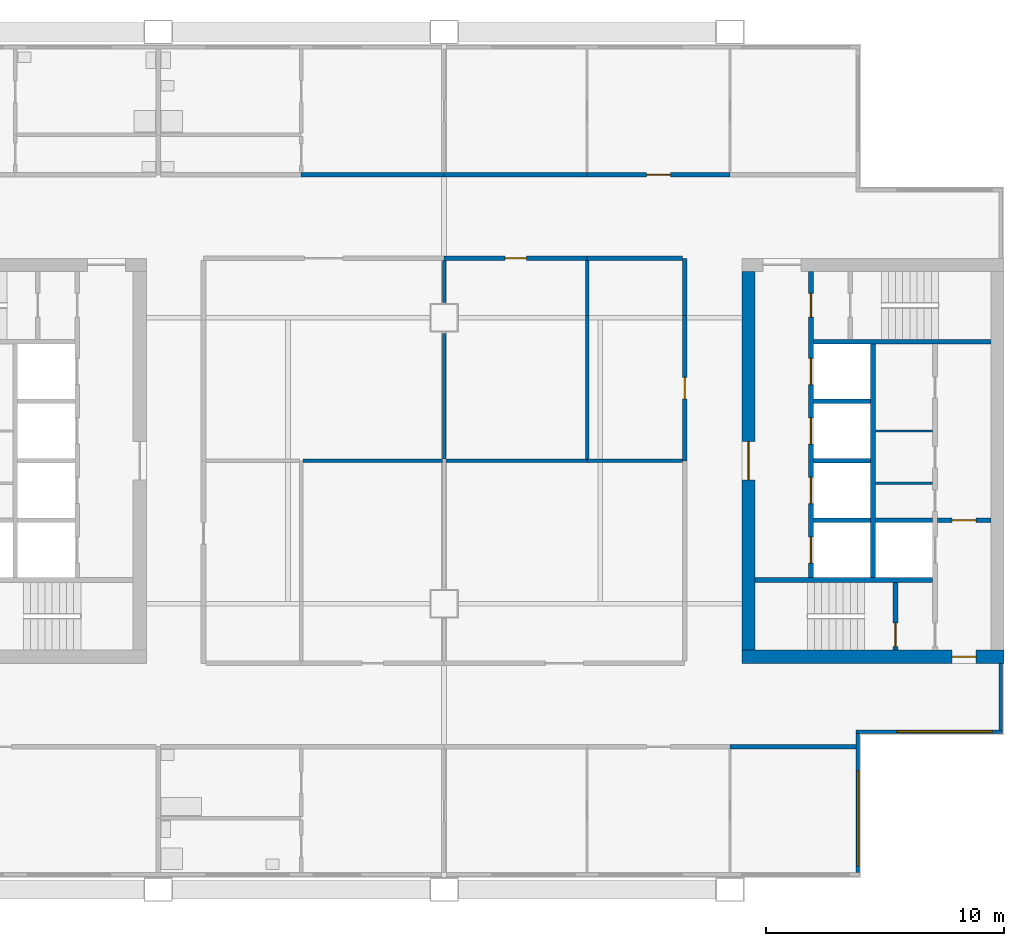
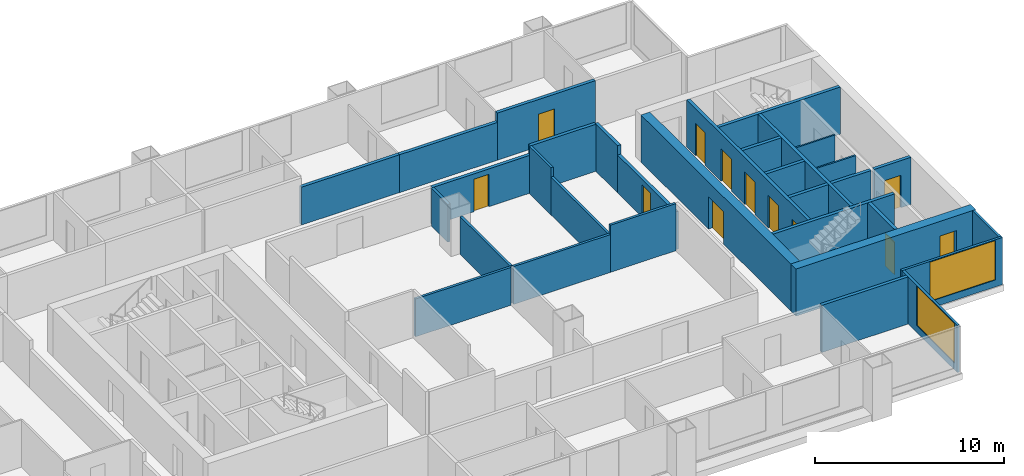
# One storey, part 5 of 9: 32 walls, 12 doors, 2 windows, 14 openings.
"""IFC4 building model written with IfcOpenShell, lengths in metres."""

from ifc_helpers import new_model, si_unit, direction, frame, frame_2d, origin, place, context, subcontext, project, spatial, rectangle, extrude, material, layer, layer_set, type_object, element, fill, save


model = new_model("IFC4")

# Units and contexts
model_context = context("Model", 3, precision=1e-05, world=origin(), true_north=direction((0.0, 1.0)))
body_context = subcontext(model_context, "Body", "Model", "MODEL_VIEW")
ifc_project = project(units=[si_unit("LENGTHUNIT", "METRE"), si_unit("AREAUNIT", "SQUARE_METRE"), si_unit("VOLUMEUNIT", "CUBIC_METRE"), si_unit("PLANEANGLEUNIT", "RADIAN"), si_unit("MASSUNIT", "GRAM", prefix="KILO")], contexts=[model_context])

# Site, building, storey
site_placement = place(None, origin())
site = spatial("IfcSite", under=ifc_project, at=site_placement, CompositionType="ELEMENT")
building_placement = place(site_placement, origin())
building = spatial("IfcBuilding", under=site, at=building_placement, Name="Kitamizu Gate Tower and Museum", CompositionType="ELEMENT")
storey_placement = place(building_placement, frame((0.0, 0.0, 210.0)))
storey = spatial("IfcBuildingStorey", under=building, at=storey_placement, Name="L56", CompositionType="ELEMENT", Elevation=210.0)

# Wall, opening, door
ifc_material_1 = material(Name="Concrete Fc42", Category="concrete")
ifc_layer_1 = layer(ifc_material_1, 0.550048828125)
ifc_layer_set_1 = layer_set([ifc_layer_1], Name="Concrete Fc42")
wall_type_1 = type_object("IfcWallType", Name="Core wall 550", PredefinedType="SHEAR", material=ifc_layer_set_1)
wall_1_placement = place(storey_placement, frame((59.5, 21.77490234375, 0.0), z_axis=(0.0, 0.0, 1.0), x_axis=(-1.0, 0.0, 0.0)))
wall_1 = element("IfcWall", 1, at=wall_1_placement, inside=storey, type_object=wall_type_1, Name="Core wall ES", PredefinedType="SHEAR", context=body_context, shape_type="SweptSolid", body=[
    extrude(rectangle(XDim=11.0, YDim=0.550048828125, at=frame_2d((5.5, 0.0))), origin(), (0.0, 0.0, 1.0), 3.050048828125),
])
opening_1_placement = place(wall_1_placement, frame((1.175048828125, 0.0, 0.0)))
opening_1 = element("IfcOpeningElement", 2, at=opening_1_placement, cuts=wall_1, Name="Opening L56-049", PredefinedType="OPENING", context=body_context, shape_type="SweptSolid", body=[
    extrude(rectangle(XDim=1.0, YDim=2.10009765625, at=frame_2d((0.5, 1.050048828125))), frame((0.0, 0.28515625, 0.0), z_axis=(0.0, -1.0, 0.0), x_axis=(1.0, 0.0, 0.0)), (0.0, 0.0, 1.0), 0.570068359375),
])
ifc_material_2 = material(Name="Hollow metal door set")
door_type_1 = type_object("IfcDoorType", Name="Fire door 1000", OperationType="NOTDEFINED", PredefinedType="DOOR", material=ifc_material_2)
door_1_placement = place(opening_1_placement, frame((1.0, 0.0, 0.0), x_axis=(-1.0, 0.0, 0.0)))
door_1 = element("IfcDoor", 3, at=door_1_placement, inside=storey, type_object=door_type_1, Name="Fire-fighting lobby door L56-049", OperationType="SINGLE_SWING_RIGHT", OverallHeight=2.10009765625, OverallWidth=1.0, PredefinedType="DOOR", context=body_context, shape_type="SweptSolid", body=[
    extrude(rectangle(XDim=1.0, YDim=2.10009765625, at=frame_2d((0.5, 1.050048828125))), frame((0.0, 0.02490234375, 0.0), z_axis=(0.0, -1.0, 0.0), x_axis=(1.0, 0.0, 0.0)), (0.0, 0.0, 1.0), 0.050048828125),
])
fill(opening_1, door_1)

wall_2_placement = place(storey_placement, frame((48.77490234375, 22.050048828125, 0.0), z_axis=(0.0, 0.0, 1.0), x_axis=(0.0, 1.0, 0.0)))
wall_2 = element("IfcWall", 4, at=wall_2_placement, inside=storey, type_object=wall_type_1, Name="Core wall EARC", PredefinedType="SHEAR", context=body_context, shape_type="SweptSolid", body=[
    extrude(rectangle(XDim=15.89990234375, YDim=0.550048828125, at=frame_2d((7.949951171875, 0.0))), origin(), (0.0, 0.0, 1.0), 3.050048828125),
])
opening_2_placement = place(wall_2_placement, frame((7.14990234375, 0.0, 0.0)))
opening_2 = element("IfcOpeningElement", 5, at=opening_2_placement, cuts=wall_2, Name="Opening L56-051", PredefinedType="OPENING", context=body_context, shape_type="SweptSolid", body=[
    extrude(rectangle(XDim=1.60009765625, YDim=2.10009765625, at=frame_2d((0.800048828125, 1.050048828125))), frame((0.0, 0.28515625, 0.0), z_axis=(0.0, -1.0, 0.0), x_axis=(1.0, 0.0, 0.0)), (0.0, 0.0, 1.0), 0.570068359375),
])
ifc_material_3 = material(Name="Timber door set", Category="wood")
door_type_2 = type_object("IfcDoorType", Name="Entrance door 1600", OperationType="DOUBLE_DOOR_SINGLE_SWING", PredefinedType="DOOR", material=ifc_material_3)
door_2_placement = place(opening_2_placement, origin())
door_2 = element("IfcDoor", 6, at=door_2_placement, inside=storey, type_object=door_type_2, Name="Lobby door L56-051", OperationType="DOUBLE_DOOR_SINGLE_SWING", OverallHeight=2.10009765625, OverallWidth=1.60009765625, PredefinedType="DOOR", context=body_context, shape_type="SweptSolid", body=[
    extrude(rectangle(XDim=1.60009765625, YDim=2.10009765625, at=frame_2d((0.800048828125, 1.050048828125))), frame((0.0, 0.02490234375, 0.0), z_axis=(0.0, -1.0, 0.0), x_axis=(1.0, 0.0, 0.0)), (0.0, 0.0, 1.0), 0.050048828125),
])
fill(opening_2, door_2)

# Walls
ifc_material_4 = material(Name="Gypsum board on galvanised stud")
ifc_layer_2 = layer(ifc_material_4, 0.10009765625)
ifc_layer_set_2 = layer_set([ifc_layer_2], Name="Gypsum board on galvanised stud")
wall_type_2 = type_object("IfcWallType", Name="Partition 100", PredefinedType="PARTITIONING", material=ifc_layer_set_2)
for number, where, z_axis, x_axis, name in (
    (7, (56.5, 29.06005859375, 0.0), (0.0, 0.0, 1.0), (-1.0, 0.0, 0.0), "Partition EPF1"),
    (8, (56.5, 31.25, 0.0), (0.0, 0.0, 1.0), (-1.0, 0.0, 0.0), "Partition EPF2"),
):
    element("IfcWall", number, at=place(storey_placement, frame(where, z_axis=z_axis, x_axis=x_axis)), inside=storey, type_object=wall_type_2, Name=name, PredefinedType="PARTITIONING", context=body_context, shape_type="SweptSolid", body=[
        extrude(rectangle(XDim=2.39990234375, YDim=0.10009765625, at=frame_2d((1.199951171875, 0.0))), origin(), (0.0, 0.0, 1.0), 3.050048828125),
    ])
ifc_material_5 = material(Name="Gypsum board on galvanised stud")
ifc_layer_3 = layer(ifc_material_5, 0.14990234375)
ifc_layer_set_3 = layer_set([ifc_layer_3], Name="Gypsum board on galvanised stud")
wall_type_3 = type_object("IfcWallType", Name="Partition 150", PredefinedType="PARTITIONING", material=ifc_layer_set_3)
wall_3_placement = place(storey_placement, frame((35.925048828125, 30.0, 0.0), z_axis=(0.0, 0.0, 1.0), x_axis=(-1.0, 0.0, 0.0)))
element("IfcWall", 9, at=wall_3_placement, inside=storey, type_object=wall_type_3, Name="Partition L56-077", PredefinedType="PARTITIONING", context=body_context, shape_type="SweptSolid", body=[
    extrude(rectangle(XDim=5.85009765625, YDim=0.14990234375, at=frame_2d((2.925048828125, 0.0))), origin(), (0.0, 0.0, 1.0), 2.449951171875),
])
wall_4_placement = place(storey_placement, frame((42.0, 30.0, 0.0), z_axis=(0.0, 0.0, 1.0), x_axis=(-1.0, 0.0, 0.0)))
element("IfcWall", 10, at=wall_4_placement, inside=storey, type_object=wall_type_3, Name="Partition L56-078", PredefinedType="PARTITIONING", context=body_context, shape_type="SweptSolid", body=[
    extrude(rectangle(XDim=5.925048828125, YDim=0.14990234375, at=frame_2d((2.96240234375, 0.0))), origin(), (0.0, 0.0, 1.0), 2.449951171875),
])
wall_5_placement = place(storey_placement, frame((46.0, 30.0, 0.0), z_axis=(0.0, 0.0, 1.0), x_axis=(-1.0, 0.0, 0.0)))
element("IfcWall", 11, at=wall_5_placement, inside=storey, type_object=wall_type_3, Name="Partition L56-079", PredefinedType="PARTITIONING", context=body_context, shape_type="SweptSolid", body=[
    extrude(rectangle(XDim=4.0, YDim=0.14990234375, at=frame_2d((2.0, 0.0))), origin(), (0.0, 0.0, 1.0), 3.050048828125),
])
wall_6_placement = place(storey_placement, frame((36.0, 30.074951171875, 0.0), z_axis=(0.0, 0.0, 1.0), x_axis=(0.0, 1.0, 0.0)))
element("IfcWall", 12, at=wall_6_placement, inside=storey, type_object=wall_type_3, Name="Partition L56-080", PredefinedType="PARTITIONING", context=body_context, shape_type="SweptSolid", body=[
    extrude(rectangle(XDim=5.275146484375, YDim=0.14990234375, at=frame_2d((2.6376953125, 0.0))), origin(), (0.0, 0.0, 1.0), 2.449951171875),
])
wall_7_placement = place(storey_placement, frame((36.0, 36.64990234375, 0.0), z_axis=(0.0, 0.0, 1.0), x_axis=(0.0, 1.0, 0.0)))
element("IfcWall", 13, at=wall_7_placement, inside=storey, type_object=wall_type_3, Name="Partition L56-081", PredefinedType="PARTITIONING", context=body_context, shape_type="SweptSolid", body=[
    extrude(rectangle(XDim=1.75, YDim=0.14990234375, at=frame_2d((0.875, 0.0))), origin(), (0.0, 0.0, 1.0), 2.449951171875),
])
wall_8_placement = place(storey_placement, frame((42.0, 30.074951171875, 0.0), z_axis=(0.0, 0.0, 1.0), x_axis=(0.0, 1.0, 0.0)))
element("IfcWall", 14, at=wall_8_placement, inside=storey, type_object=wall_type_3, Name="Partition L56-082", PredefinedType="PARTITIONING", context=body_context, shape_type="SweptSolid", body=[
    extrude(rectangle(XDim=6.025146484375, YDim=0.14990234375, at=frame_2d((3.0126953125, 0.0))), origin(), (0.0, 0.0, 1.0), 2.449951171875),
])
wall_9_placement = place(storey_placement, frame((42.0, 36.10009765625, 0.0), z_axis=(0.0, 0.0, 1.0), x_axis=(0.0, 1.0, 0.0)))
element("IfcWall", 15, at=wall_9_placement, inside=storey, type_object=wall_type_3, Name="Partition L56-083", PredefinedType="PARTITIONING", context=body_context, shape_type="SweptSolid", body=[
    extrude(rectangle(XDim=2.2998046875, YDim=0.14990234375, at=frame_2d((1.14990234375, 0.0))), origin(), (0.0, 0.0, 1.0), 3.050048828125),
])
ifc_material_6 = material(Name="Gypsum board on galvanised stud")
ifc_layer_4 = layer(ifc_material_6, 0.199951171875)
ifc_layer_set_4 = layer_set([ifc_layer_4], Name="Gypsum board on galvanised stud")
wall_type_4 = type_object("IfcWallType", Name="Partition 200", PredefinedType="PARTITIONING", material=ifc_layer_set_4)
wall_10_placement = place(storey_placement, frame((53.280029296875, 18.0, 0.0), z_axis=(0.0, 0.0, 1.0), x_axis=(-1.0, 0.0, 0.0)))
element("IfcWall", 16, at=wall_10_placement, inside=storey, type_object=wall_type_4, Name="Partition L56-013", PredefinedType="PARTITIONING", context=body_context, shape_type="SweptSolid", body=[
    extrude(rectangle(XDim=5.280029296875, YDim=0.199951171875, at=frame_2d((2.64013671875, 0.0))), origin(), (0.0, 0.0, 1.0), 3.050048828125),
])
for number, where, z_axis, x_axis, name in (
    (17, (30.0, 42.0, 0.0), (0.0, 0.0, 1.0), (1.0, 0.0, 0.0), "Partition L56-029"),
    (18, (36.0, 42.0, 0.0), (0.0, 0.0, 1.0), (1.0, 0.0, 0.0), "Partition L56-031"),
):
    element("IfcWall", number, at=place(storey_placement, frame(where, z_axis=z_axis, x_axis=x_axis)), inside=storey, type_object=wall_type_4, Name=name, PredefinedType="PARTITIONING", context=body_context, shape_type="SweptSolid", body=[
        extrude(rectangle(XDim=6.0, YDim=0.199951171875, at=frame_2d((3.0, 0.0))), origin(), (0.0, 0.0, 1.0), 2.449951171875),
    ])

# Wall, opening, door
wall_11_placement = place(storey_placement, frame((42.0, 42.0, 0.0), z_axis=(0.0, 0.0, 1.0), x_axis=(1.0, 0.0, 0.0)))
wall_11 = element("IfcWall", 19, at=wall_11_placement, inside=storey, type_object=wall_type_4, Name="Partition L56-033", PredefinedType="PARTITIONING", context=body_context, shape_type="SweptSolid", body=[
    extrude(rectangle(XDim=6.0, YDim=0.199951171875, at=frame_2d((3.0, 0.0))), origin(), (0.0, 0.0, 1.0), 3.050048828125),
])
opening_3_placement = place(wall_11_placement, frame((2.5, 0.0, 0.0)))
opening_3 = element("IfcOpeningElement", 20, at=opening_3_placement, cuts=wall_11, Name="Opening L56-011", PredefinedType="OPENING", context=body_context, shape_type="SweptSolid", body=[
    extrude(rectangle(XDim=1.0, YDim=2.10009765625, at=frame_2d((0.5, 1.050048828125))), frame((0.0, 0.10986328125, 0.0), z_axis=(0.0, -1.0, 0.0), x_axis=(1.0, 0.0, 0.0)), (0.0, 0.0, 1.0), 0.219970703125),
])
ifc_material_7 = material(Name="Timber door set", Category="wood")
door_type_3 = type_object("IfcDoorType", Name="Flat entrance door 1000", OperationType="NOTDEFINED", PredefinedType="DOOR", material=ifc_material_7)
door_3_placement = place(opening_3_placement, origin())
door_3 = element("IfcDoor", 21, at=door_3_placement, inside=storey, type_object=door_type_3, Name="Flat entrance door L56-011", OperationType="SINGLE_SWING_LEFT", OverallHeight=2.10009765625, OverallWidth=1.0, PredefinedType="DOOR", context=body_context, shape_type="SweptSolid", body=[
    extrude(rectangle(XDim=1.0, YDim=2.10009765625, at=frame_2d((0.5, 1.050048828125))), frame((0.0, 0.02490234375, 0.0), z_axis=(0.0, -1.0, 0.0), x_axis=(1.0, 0.0, 0.0)), (0.0, 0.0, 1.0), 0.050048828125),
])
fill(opening_3, door_3)

wall_12_placement = place(storey_placement, frame((42.0, 38.5, 0.0), z_axis=(0.0, 0.0, 1.0), x_axis=(-1.0, 0.0, 0.0)))
wall_12 = element("IfcWall", 22, at=wall_12_placement, inside=storey, type_object=wall_type_4, Name="Partition L56-068", PredefinedType="PARTITIONING", context=body_context, shape_type="SweptSolid", body=[
    extrude(rectangle(XDim=6.0, YDim=0.199951171875, at=frame_2d((3.0, 0.0))), origin(), (0.0, 0.0, 1.0), 2.449951171875),
])
opening_4_placement = place(wall_12_placement, frame((2.550048828125, 0.0, 0.0)))
opening_4 = element("IfcOpeningElement", 23, at=opening_4_placement, cuts=wall_12, Name="Opening L56-030", PredefinedType="OPENING", context=body_context, shape_type="SweptSolid", body=[
    extrude(rectangle(XDim=0.89990234375, YDim=2.10009765625, at=frame_2d((0.449951171875, 1.050048828125))), frame((0.0, 0.10986328125, 0.0), z_axis=(0.0, -1.0, 0.0), x_axis=(1.0, 0.0, 0.0)), (0.0, 0.0, 1.0), 0.219970703125),
])
ifc_material_8 = material(Name="Timber door set", Category="wood")
door_type_4 = type_object("IfcDoorType", Name="Room door 900", OperationType="NOTDEFINED", PredefinedType="DOOR", material=ifc_material_8)
door_4_placement = place(opening_4_placement, origin())
door_4 = element("IfcDoor", 24, at=door_4_placement, inside=storey, type_object=door_type_4, Name="Door L56-030", OperationType="SINGLE_SWING_LEFT", OverallHeight=2.10009765625, OverallWidth=0.89990234375, PredefinedType="DOOR", context=body_context, shape_type="SweptSolid", body=[
    extrude(rectangle(XDim=0.89990234375, YDim=2.10009765625, at=frame_2d((0.449951171875, 1.050048828125))), frame((0.0, 0.02490234375, 0.0), z_axis=(0.0, -1.0, 0.0), x_axis=(1.0, 0.0, 0.0)), (0.0, 0.0, 1.0), 0.050048828125),
])
fill(opening_4, door_4)

wall_13_placement = place(storey_placement, frame((46.10009765625, 30.0, 0.0), z_axis=(0.0, 0.0, 1.0), x_axis=(0.0, 1.0, 0.0)))
wall_13 = element("IfcWall", 25, at=wall_13_placement, inside=storey, type_object=wall_type_4, Name="Partition L56-069", PredefinedType="PARTITIONING", context=body_context, shape_type="SweptSolid", body=[
    extrude(rectangle(XDim=6.10009765625, YDim=0.199951171875, at=frame_2d((3.050048828125, 0.0))), origin(), (0.0, 0.0, 1.0), 2.449951171875),
])
opening_5_placement = place(wall_13_placement, frame((2.60009765625, 0.0, 0.0)))
opening_5 = element("IfcOpeningElement", 26, at=opening_5_placement, cuts=wall_13, Name="Opening L56-031", PredefinedType="OPENING", context=body_context, shape_type="SweptSolid", body=[
    extrude(rectangle(XDim=0.89990234375, YDim=2.10009765625, at=frame_2d((0.449951171875, 1.050048828125))), frame((0.0, 0.10986328125, 0.0), z_axis=(0.0, -1.0, 0.0), x_axis=(1.0, 0.0, 0.0)), (0.0, 0.0, 1.0), 0.219970703125),
])
door_5_placement = place(opening_5_placement, origin())
door_5 = element("IfcDoor", 27, at=door_5_placement, inside=storey, type_object=door_type_4, Name="Door L56-031", OperationType="SINGLE_SWING_RIGHT", OverallHeight=2.10009765625, OverallWidth=0.89990234375, PredefinedType="DOOR", context=body_context, shape_type="SweptSolid", body=[
    extrude(rectangle(XDim=0.89990234375, YDim=2.10009765625, at=frame_2d((0.449951171875, 1.050048828125))), frame((0.0, 0.02490234375, 0.0), z_axis=(0.0, -1.0, 0.0), x_axis=(1.0, 0.0, 0.0)), (0.0, 0.0, 1.0), 0.050048828125),
])
fill(opening_5, door_5)

# Walls
wall_14_placement = place(storey_placement, frame((46.10009765625, 36.10009765625, 0.0), z_axis=(0.0, 0.0, 1.0), x_axis=(0.0, 1.0, 0.0)))
element("IfcWall", 28, at=wall_14_placement, inside=storey, type_object=wall_type_4, Name="Partition L56-070", PredefinedType="PARTITIONING", context=body_context, shape_type="SweptSolid", body=[
    extrude(rectangle(XDim=2.39990234375, YDim=0.199951171875, at=frame_2d((1.199951171875, 0.0))), origin(), (0.0, 0.0, 1.0), 3.050048828125),
])
wall_15_placement = place(storey_placement, frame((46.0, 38.5, 0.0), z_axis=(0.0, 0.0, 1.0), x_axis=(-1.0, 0.0, 0.0)))
element("IfcWall", 29, at=wall_15_placement, inside=storey, type_object=wall_type_4, Name="Partition L56-071", PredefinedType="PARTITIONING", context=body_context, shape_type="SweptSolid", body=[
    extrude(rectangle(XDim=4.0, YDim=0.199951171875, at=frame_2d((2.0, 0.0))), origin(), (0.0, 0.0, 1.0), 3.050048828125),
])

# Wall, openings, doors
ifc_material_9 = material(Name="Concrete Fc42", Category="concrete")
ifc_layer_5 = layer(ifc_material_9, 0.199951171875)
ifc_layer_set_5 = layer_set([ifc_layer_5], Name="Concrete Fc42")
wall_type_5 = type_object("IfcWallType", Name="Shaft wall 200", PredefinedType="SOLIDWALL", material=ifc_layer_set_5)
wall_16_placement = place(storey_placement, frame((51.39990234375, 25.10009765625, 0.0), z_axis=(0.0, 0.0, 1.0), x_axis=(0.0, 1.0, 0.0)))
wall_16 = element("IfcWall", 30, at=wall_16_placement, inside=storey, type_object=wall_type_5, Name="Shaft wall EEAST", PredefinedType="SOLIDWALL", context=body_context, shape_type="SweptSolid", body=[
    extrude(rectangle(XDim=12.849853515625, YDim=0.199951171875, at=frame_2d((6.4248046875, 0.0))), origin(), (0.0, 0.0, 1.0), 3.050048828125),
])
opening_6_placement = place(wall_16_placement, frame((0.60009765625, 0.0, 0.0)))
opening_6 = element("IfcOpeningElement", 31, at=opening_6_placement, cuts=wall_16, Name="Opening LD", PredefinedType="OPENING", context=body_context, shape_type="SweptSolid", body=[
    extrude(rectangle(XDim=1.10009765625, YDim=2.10009765625, at=frame_2d((0.550048828125, 1.050048828125))), frame((0.0, 0.10986328125, 0.0), z_axis=(0.0, -1.0, 0.0), x_axis=(1.0, 0.0, 0.0)), (0.0, 0.0, 1.0), 0.219970703125),
])
opening_7_placement = place(wall_16_placement, frame((3.10009765625, 0.0, 0.0)))
opening_7 = element("IfcOpeningElement", 32, at=opening_7_placement, cuts=wall_16, Name="Opening LD", PredefinedType="OPENING", context=body_context, shape_type="SweptSolid", body=[
    extrude(rectangle(XDim=1.10009765625, YDim=2.10009765625, at=frame_2d((0.550048828125, 1.050048828125))), frame((0.0, 0.10986328125, 0.0), z_axis=(0.0, -1.0, 0.0), x_axis=(1.0, 0.0, 0.0)), (0.0, 0.0, 1.0), 0.219970703125),
])
opening_8_placement = place(wall_16_placement, frame((5.60009765625, 0.0, 0.0)))
opening_8 = element("IfcOpeningElement", 33, at=opening_8_placement, cuts=wall_16, Name="Opening LD", PredefinedType="OPENING", context=body_context, shape_type="SweptSolid", body=[
    extrude(rectangle(XDim=1.10009765625, YDim=2.10009765625, at=frame_2d((0.550048828125, 1.050048828125))), frame((0.0, 0.10986328125, 0.0), z_axis=(0.0, -1.0, 0.0), x_axis=(1.0, 0.0, 0.0)), (0.0, 0.0, 1.0), 0.219970703125),
])
opening_9_placement = place(wall_16_placement, frame((8.10009765625, 0.0, 0.0)))
opening_9 = element("IfcOpeningElement", 34, at=opening_9_placement, cuts=wall_16, Name="Opening LD", PredefinedType="OPENING", context=body_context, shape_type="SweptSolid", body=[
    extrude(rectangle(XDim=1.10009765625, YDim=2.10009765625, at=frame_2d((0.550048828125, 1.050048828125))), frame((0.0, 0.10986328125, 0.0), z_axis=(0.0, -1.0, 0.0), x_axis=(1.0, 0.0, 0.0)), (0.0, 0.0, 1.0), 0.219970703125),
])
opening_10_placement = place(wall_16_placement, frame((10.925048828125, 0.0, 0.0)))
opening_10 = element("IfcOpeningElement", 35, at=opening_10_placement, cuts=wall_16, Name="Opening L56-046", PredefinedType="OPENING", context=body_context, shape_type="SweptSolid", body=[
    extrude(rectangle(XDim=1.0, YDim=2.10009765625, at=frame_2d((0.5, 1.050048828125))), frame((0.0, 0.10986328125, 0.0), z_axis=(0.0, -1.0, 0.0), x_axis=(1.0, 0.0, 0.0)), (0.0, 0.0, 1.0), 0.219970703125),
])
door_6_placement = place(opening_10_placement, frame((1.0, 0.0, 0.0), x_axis=(-1.0, 0.0, 0.0)))
door_6 = element("IfcDoor", 36, at=door_6_placement, inside=storey, type_object=door_type_1, Name="Stair lobby door L56-046", OperationType="SINGLE_SWING_LEFT", OverallHeight=2.10009765625, OverallWidth=1.0, PredefinedType="DOOR", context=body_context, shape_type="SweptSolid", body=[
    extrude(rectangle(XDim=1.0, YDim=2.10009765625, at=frame_2d((0.5, 1.050048828125))), frame((0.0, 0.02490234375, 0.0), z_axis=(0.0, -1.0, 0.0), x_axis=(1.0, 0.0, 0.0)), (0.0, 0.0, 1.0), 0.050048828125),
])
fill(opening_10, door_6)
ifc_material_10 = material(Name="Hollow metal door set")
door_type_5 = type_object("IfcDoorType", Name="Landing door 1100", OperationType="SLIDING_TO_LEFT", PredefinedType="DOOR", material=ifc_material_10)
door_7_placement = place(opening_6_placement, origin())
door_7 = element("IfcDoor", 37, at=door_7_placement, inside=storey, type_object=door_type_5, Name="Landing door ESV1", OperationType="SLIDING_TO_LEFT", OverallHeight=2.10009765625, OverallWidth=1.10009765625, PredefinedType="DOOR", context=body_context, shape_type="SweptSolid", body=[
    extrude(rectangle(XDim=1.10009765625, YDim=2.10009765625, at=frame_2d((0.550048828125, 1.050048828125))), frame((0.0, 0.02490234375, 0.0), z_axis=(0.0, -1.0, 0.0), x_axis=(1.0, 0.0, 0.0)), (0.0, 0.0, 1.0), 0.050048828125),
])
fill(opening_6, door_7)
door_8_placement = place(opening_7_placement, origin())
door_8 = element("IfcDoor", 38, at=door_8_placement, inside=storey, type_object=door_type_5, Name="Landing door EH1", OperationType="SLIDING_TO_LEFT", OverallHeight=2.10009765625, OverallWidth=1.10009765625, PredefinedType="DOOR", context=body_context, shape_type="SweptSolid", body=[
    extrude(rectangle(XDim=1.10009765625, YDim=2.10009765625, at=frame_2d((0.550048828125, 1.050048828125))), frame((0.0, 0.02490234375, 0.0), z_axis=(0.0, -1.0, 0.0), x_axis=(1.0, 0.0, 0.0)), (0.0, 0.0, 1.0), 0.050048828125),
])
fill(opening_7, door_8)
door_9_placement = place(opening_8_placement, origin())
door_9 = element("IfcDoor", 39, at=door_9_placement, inside=storey, type_object=door_type_5, Name="Landing door EH2", OperationType="SLIDING_TO_LEFT", OverallHeight=2.10009765625, OverallWidth=1.10009765625, PredefinedType="DOOR", context=body_context, shape_type="SweptSolid", body=[
    extrude(rectangle(XDim=1.10009765625, YDim=2.10009765625, at=frame_2d((0.550048828125, 1.050048828125))), frame((0.0, 0.02490234375, 0.0), z_axis=(0.0, -1.0, 0.0), x_axis=(1.0, 0.0, 0.0)), (0.0, 0.0, 1.0), 0.050048828125),
])
fill(opening_8, door_9)
door_10_placement = place(opening_9_placement, origin())
door_10 = element("IfcDoor", 40, at=door_10_placement, inside=storey, type_object=door_type_5, Name="Landing door EH3", OperationType="SLIDING_TO_LEFT", OverallHeight=2.10009765625, OverallWidth=1.10009765625, PredefinedType="DOOR", context=body_context, shape_type="SweptSolid", body=[
    extrude(rectangle(XDim=1.10009765625, YDim=2.10009765625, at=frame_2d((0.550048828125, 1.050048828125))), frame((0.0, 0.02490234375, 0.0), z_axis=(0.0, -1.0, 0.0), x_axis=(1.0, 0.0, 0.0)), (0.0, 0.0, 1.0), 0.050048828125),
])
fill(opening_9, door_10)

# Walls
wall_17_placement = place(storey_placement, frame((54.0, 25.10009765625, 0.0), z_axis=(0.0, 0.0, 1.0), x_axis=(0.0, 1.0, 0.0)))
element("IfcWall", 41, at=wall_17_placement, inside=storey, type_object=wall_type_5, Name="Shaft wall EMID", PredefinedType="SOLIDWALL", context=body_context, shape_type="SweptSolid", body=[
    extrude(rectangle(XDim=9.7998046875, YDim=0.199951171875, at=frame_2d((4.89990234375, 0.0))), origin(), (0.0, 0.0, 1.0), 3.050048828125),
])
for number, where, z_axis, x_axis, name in (
    (42, (56.5, 25.0, 0.0), (0.0, 0.0, 1.0), (-1.0, 0.0, 0.0), "Shaft wall ESB"),
    (43, (58.949951171875, 35.0, 0.0), (0.0, 0.0, 1.0), (-1.0, 0.0, 0.0), "Shaft wall ENB"),
):
    element("IfcWall", number, at=place(storey_placement, frame(where, z_axis=z_axis, x_axis=x_axis)), inside=storey, type_object=wall_type_5, Name=name, PredefinedType="SOLIDWALL", context=body_context, shape_type="SweptSolid", body=[
        extrude(rectangle(XDim=7.449951171875, YDim=0.199951171875, at=frame_2d((3.72509765625, 0.0))), origin(), (0.0, 0.0, 1.0), 3.050048828125),
    ])

# Wall, opening, door
wall_18_placement = place(storey_placement, frame((58.949951171875, 27.5, 0.0), z_axis=(0.0, 0.0, 1.0), x_axis=(-1.0, 0.0, 0.0)))
wall_18 = element("IfcWall", 44, at=wall_18_placement, inside=storey, type_object=wall_type_5, Name="Shaft wall EFFN", PredefinedType="SOLIDWALL", context=body_context, shape_type="SweptSolid", body=[
    extrude(rectangle(XDim=2.25, YDim=0.199951171875, at=frame_2d((1.125, 0.0))), origin(), (0.0, 0.0, 1.0), 3.050048828125),
])
opening_11_placement = place(wall_18_placement, frame((0.625, 0.0, 0.0)))
opening_11 = element("IfcOpeningElement", 45, at=opening_11_placement, cuts=wall_18, Name="Opening L56-048", PredefinedType="OPENING", context=body_context, shape_type="SweptSolid", body=[
    extrude(rectangle(XDim=1.0, YDim=2.10009765625, at=frame_2d((0.5, 1.050048828125))), frame((0.0, 0.10986328125, 0.0), z_axis=(0.0, -1.0, 0.0), x_axis=(1.0, 0.0, 0.0)), (0.0, 0.0, 1.0), 0.219970703125),
])
door_11_placement = place(opening_11_placement, origin())
door_11 = element("IfcDoor", 46, at=door_11_placement, inside=storey, type_object=door_type_1, Name="Fire-fighting lobby door L56-048", OperationType="SINGLE_SWING_RIGHT", OverallHeight=2.10009765625, OverallWidth=1.0, PredefinedType="DOOR", context=body_context, shape_type="SweptSolid", body=[
    extrude(rectangle(XDim=1.0, YDim=2.10009765625, at=frame_2d((0.5, 1.050048828125))), frame((0.0, 0.02490234375, 0.0), z_axis=(0.0, -1.0, 0.0), x_axis=(1.0, 0.0, 0.0)), (0.0, 0.0, 1.0), 0.050048828125),
])
fill(opening_11, door_11)

wall_19_placement = place(storey_placement, frame((54.949951171875, 22.050048828125, 0.0), z_axis=(0.0, 0.0, 1.0), x_axis=(0.0, 1.0, 0.0)))
wall_19 = element("IfcWall", 47, at=wall_19_placement, inside=storey, type_object=wall_type_5, Name="Shaft wall ESZ", PredefinedType="SOLIDWALL", context=body_context, shape_type="SweptSolid", body=[
    extrude(rectangle(XDim=2.849853515625, YDim=0.199951171875, at=frame_2d((1.4248046875, 0.0))), origin(), (0.0, 0.0, 1.0), 3.050048828125),
])
opening_12_placement = place(wall_19_placement, frame((0.14990234375, 0.0, 0.0)))
opening_12 = element("IfcOpeningElement", 48, at=opening_12_placement, cuts=wall_19, Name="Opening L56-044", PredefinedType="OPENING", context=body_context, shape_type="SweptSolid", body=[
    extrude(rectangle(XDim=1.0, YDim=2.10009765625, at=frame_2d((0.5, 1.050048828125))), frame((0.0, 0.10986328125, 0.0), z_axis=(0.0, -1.0, 0.0), x_axis=(1.0, 0.0, 0.0)), (0.0, 0.0, 1.0), 0.219970703125),
])
door_12_placement = place(opening_12_placement, origin())
door_12 = element("IfcDoor", 49, at=door_12_placement, inside=storey, type_object=door_type_1, Name="Stair door L56-044", OperationType="SINGLE_SWING_RIGHT", OverallHeight=2.10009765625, OverallWidth=1.0, PredefinedType="DOOR", context=body_context, shape_type="SweptSolid", body=[
    extrude(rectangle(XDim=1.0, YDim=2.10009765625, at=frame_2d((0.5, 1.050048828125))), frame((0.0, 0.02490234375, 0.0), z_axis=(0.0, -1.0, 0.0), x_axis=(1.0, 0.0, 0.0)), (0.0, 0.0, 1.0), 0.050048828125),
])
fill(opening_12, door_12)

# Walls
for number, where, z_axis, x_axis, name in (
    (50, (56.5, 27.5, 0.0), (0.0, 0.0, 1.0), (-1.0, 0.0, 0.0), "Shaft wall EDVW0"),
    (51, (53.89990234375, 27.5, 0.0), (0.0, 0.0, 1.0), (-1.0, 0.0, 0.0), "Shaft wall EDVE0"),
    (52, (53.89990234375, 30.0, 0.0), (0.0, 0.0, 1.0), (-1.0, 0.0, 0.0), "Shaft wall EDVE1"),
    (53, (53.89990234375, 32.5, 0.0), (0.0, 0.0, 1.0), (-1.0, 0.0, 0.0), "Shaft wall EDVE2"),
):
    element("IfcWall", number, at=place(storey_placement, frame(where, z_axis=z_axis, x_axis=x_axis)), inside=storey, type_object=wall_type_5, Name=name, PredefinedType="SOLIDWALL", context=body_context, shape_type="SweptSolid", body=[
        extrude(rectangle(XDim=2.39990234375, YDim=0.199951171875, at=frame_2d((1.199951171875, 0.0))), origin(), (0.0, 0.0, 1.0), 3.050048828125),
    ])

# Wall, opening, window
ifc_material_11 = material(Name="Bronze anodised aluminium frame with insulated spandrel and tinted glass", Category="aluminium")
ifc_layer_6 = layer(ifc_material_11, 0.14990234375)
ifc_layer_set_6 = layer_set([ifc_layer_6], Name="Bronze anodised aluminium frame with insulated spandrel and tinted glass")
wall_type_6 = type_object("IfcWallType", Name="WINDOW WALL 150 BRONZE FRAME EI 30", PredefinedType="ELEMENTEDWALL", material=ifc_layer_set_6)
wall_20_placement = place(storey_placement, frame((53.364990234375, 12.7099609375, 0.0), z_axis=(0.0, 0.0, 1.0), x_axis=(0.0, 1.0, 0.0)))
wall_20 = element("IfcWall", 54, at=wall_20_placement, inside=storey, type_object=wall_type_6, Name="Window wall east L56", PredefinedType="ELEMENTEDWALL", context=body_context, shape_type="SweptSolid", body=[
    extrude(rectangle(XDim=5.85009765625, YDim=0.14990234375, at=frame_2d((2.925048828125, 0.0))), origin(), (0.0, 0.0, 1.0), 3.050048828125),
])
opening_13_placement = place(wall_20_placement, frame((0.2900390625, 0.0, 0.449951171875)))
opening_13 = element("IfcOpeningElement", 55, at=opening_13_placement, cuts=wall_20, Name="Opening W16", PredefinedType="OPENING", context=body_context, shape_type="SweptSolid", body=[
    extrude(rectangle(XDim=4.0, YDim=2.550048828125, at=frame_2d((2.0, 1.27490234375))), frame((0.0, 0.0849609375, 0.0), z_axis=(0.0, -1.0, 0.0), x_axis=(1.0, 0.0, 0.0)), (0.0, 0.0, 1.0), 0.169921875),
])
ifc_material_12 = material(Name="Bronze anodised aluminium frame, tinted triple glazing", Category="aluminium")
window_type = type_object("IfcWindowType", Name="WINDOW 4000 x 2550 SILL 450", PartitioningType="SINGLE_PANEL", PredefinedType="WINDOW", material=ifc_material_12)
window_1_placement = place(opening_13_placement, origin())
window_1 = element("IfcWindow", 56, at=window_1_placement, inside=storey, type_object=window_type, Name="Window W16 L56", OverallHeight=2.550048828125, OverallWidth=4.0, PartitioningType="SINGLE_PANEL", PredefinedType="WINDOW", context=body_context, shape_type="SweptSolid", body=[
    extrude(rectangle(XDim=4.0, YDim=2.550048828125, at=frame_2d((2.0, 1.27490234375))), frame((0.0, 0.030029296875, 0.0), z_axis=(0.0, -1.0, 0.0), x_axis=(1.0, 0.0, 0.0)), (0.0, 0.0, 1.0), 0.06005859375),
])
fill(opening_13, window_1)

wall_21_placement = place(storey_placement, frame((53.2900390625, 18.635009765625, 0.0), z_axis=(0.0, 0.0, 1.0), x_axis=(1.0, 0.0, 0.0)))
wall_21 = element("IfcWall", 57, at=wall_21_placement, inside=storey, type_object=wall_type_6, Name="Window wall south L56", PredefinedType="ELEMENTEDWALL", context=body_context, shape_type="SweptSolid", body=[
    extrude(rectangle(XDim=6.14990234375, YDim=0.14990234375, at=frame_2d((3.074951171875, 0.0))), origin(), (0.0, 0.0, 1.0), 3.050048828125),
])
opening_14_placement = place(wall_21_placement, frame((1.7099609375, 0.0, 0.449951171875)))
opening_14 = element("IfcOpeningElement", 58, at=opening_14_placement, cuts=wall_21, Name="Opening W16", PredefinedType="OPENING", context=body_context, shape_type="SweptSolid", body=[
    extrude(rectangle(XDim=4.0, YDim=2.550048828125, at=frame_2d((2.0, 1.27490234375))), frame((0.0, 0.0849609375, 0.0), z_axis=(0.0, -1.0, 0.0), x_axis=(1.0, 0.0, 0.0)), (0.0, 0.0, 1.0), 0.169921875),
])
window_2_placement = place(opening_14_placement, origin())
window_2 = element("IfcWindow", 59, at=window_2_placement, inside=storey, type_object=window_type, Name="Window W16 L56", OverallHeight=2.550048828125, OverallWidth=4.0, PartitioningType="SINGLE_PANEL", PredefinedType="WINDOW", context=body_context, shape_type="SweptSolid", body=[
    extrude(rectangle(XDim=4.0, YDim=2.550048828125, at=frame_2d((2.0, 1.27490234375))), frame((0.0, 0.030029296875, 0.0), z_axis=(0.0, -1.0, 0.0), x_axis=(1.0, 0.0, 0.0)), (0.0, 0.0, 1.0), 0.06005859375),
])
fill(opening_14, window_2)

# Wall
wall_22_placement = place(storey_placement, frame((59.364990234375, 18.7099609375, 0.0), z_axis=(0.0, 0.0, 1.0), x_axis=(0.0, 1.0, 0.0)))
element("IfcWall", 60, at=wall_22_placement, inside=storey, type_object=wall_type_6, Name="Window wall east L56", PredefinedType="ELEMENTEDWALL", context=body_context, shape_type="SweptSolid", body=[
    extrude(rectangle(XDim=2.7900390625, YDim=0.14990234375, at=frame_2d((1.39501953125, 0.0))), origin(), (0.0, 0.0, 1.0), 3.050048828125),
])

save(model, "model.ifc")
